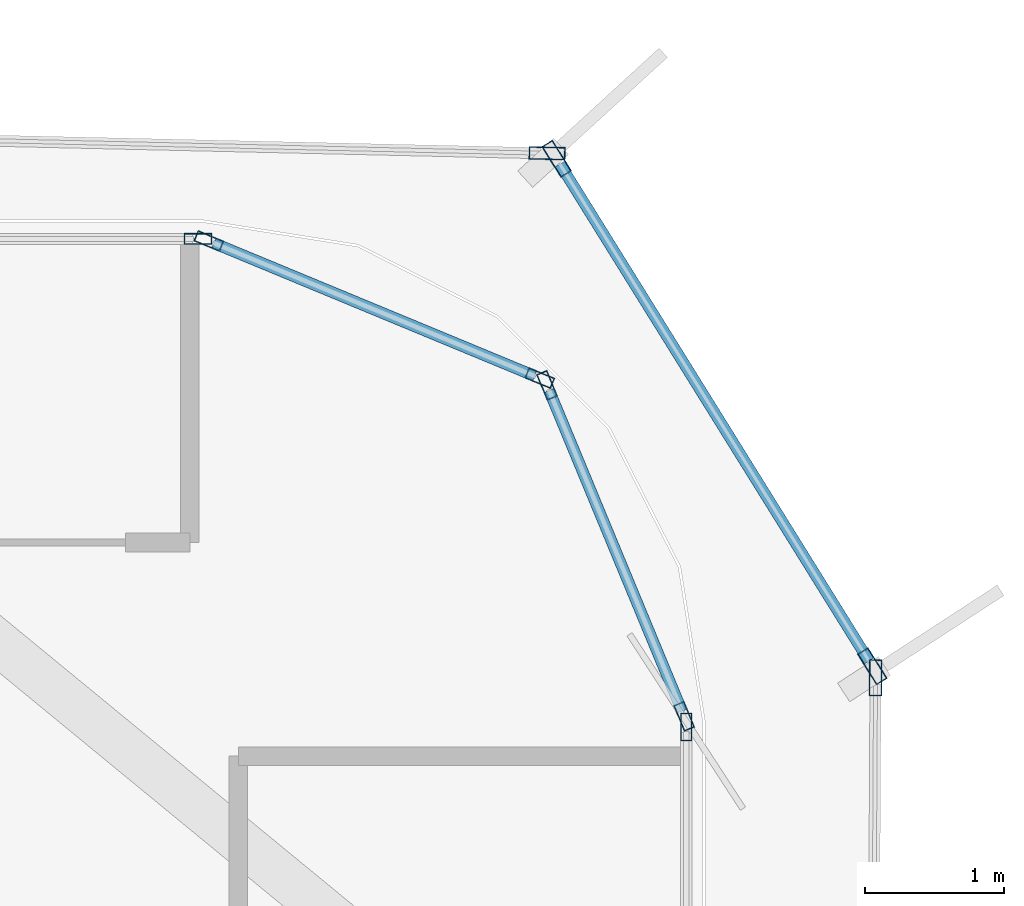
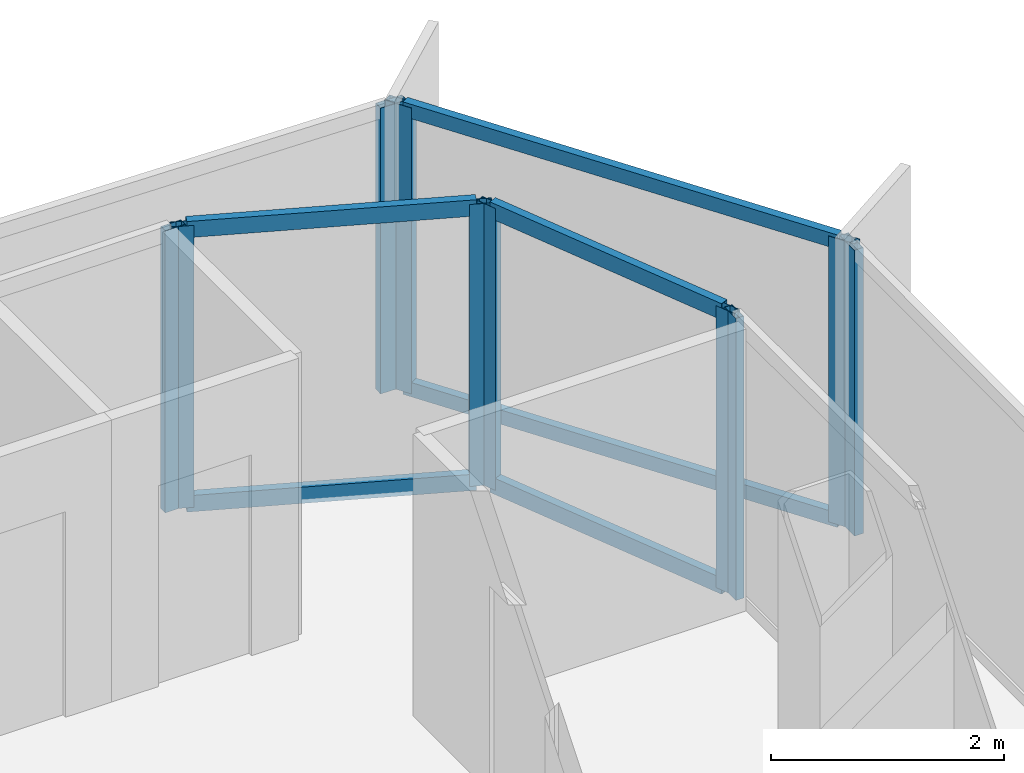
# One storey, part 8 of 16: 16 members, 7 elements without a shape of their own.
"""IFC4 building model written with IfcOpenShell, lengths in metres."""

from ifc_helpers import new_model, si_unit, direction, frame, origin, origin_2d, place, context, subcontext, project, spatial, hollow_rectangle, extrude, source, transform, mapped, material, layer, layer_set, material_profile, profile_set, type_object, element, aggregate, save


model = new_model("IFC4")

# Units and contexts
model_context = context("Model", 3, precision=1e-05, world=origin(), true_north=direction((0.0, 1.0)))
body_context = subcontext(model_context, "Body", "Model", "MODEL_VIEW")
ifc_project = project(units=[si_unit("LENGTHUNIT", "METRE"), si_unit("AREAUNIT", "SQUARE_METRE"), si_unit("VOLUMEUNIT", "CUBIC_METRE"), si_unit("PLANEANGLEUNIT", "RADIAN"), si_unit("MASSUNIT", "GRAM", prefix="KILO")], contexts=[model_context])

# Site, building, storey
site_placement = place(None, origin())
site = spatial("IfcSite", under=ifc_project, at=site_placement, CompositionType="ELEMENT")
building_placement = place(site_placement, origin())
building = spatial("IfcBuilding", under=site, at=building_placement, Name="Kolveth Station Tower", CompositionType="ELEMENT")
storey_placement = place(building_placement, frame((0.0, 0.0, 178.5)))
storey = spatial("IfcBuildingStorey", under=building, at=storey_placement, Name="L50", CompositionType="ELEMENT", Elevation=178.5)

# Curtain wall, member
ifc_material_1 = material(Name="Aluminium 6063-T6 and low-E dark glass", Category="aluminium")
ifc_layer_1 = layer(ifc_material_1, 0.18994140625)
ifc_layer_set_1 = layer_set([ifc_layer_1], Name="Aluminium 6063-T6 and low-E dark glass")
curtain_wall_type_1 = type_object("IfcCurtainWallType", Name="CurtainWall_CW-Z2", PredefinedType="NOTDEFINED", material=ifc_layer_set_1)
curtain_wall_1_placement = place(storey_placement, origin())
curtain_wall_1 = element("IfcCurtainWall", 1, at=curtain_wall_1_placement, inside=storey, type_object=curtain_wall_type_1, Name="L50 Inner Thermal Curtain Wall 3", PredefinedType="NOTDEFINED")
ifc_material_2 = material(Name="Black anodized aluminium 6063-T6", Category="aluminium")
ifc_material_profile_1 = material_profile(ifc_material_2, hollow_rectangle(XDim=0.080078125, YDim=0.199951171875, WallThickness=0.0048828125, at=origin_2d()), Name="ALU-80x200x5")
ifc_profile_set_1 = profile_set([ifc_material_profile_1], Name="Black anodized aluminium 6063-T6")
member_type_1 = type_object("IfcMemberType", Name="Mullion_ML2", PredefinedType="MULLION", material=ifc_profile_set_1)
shared_shape_1 = source(origin(), body_context, "Body", "SweptSolid", [
    extrude(hollow_rectangle(XDim=0.080078125, YDim=0.199951171875, WallThickness=0.0048828125, at=origin_2d()), origin(), (0.0, 0.0, 1.0), 2.949951171875),
])
member_1_placement = place(storey_placement, frame((41.679931640625, 31.659912109375, 0.0), z_axis=(0.0, 0.0, 1.0), x_axis=(-1.0, 0.0, 0.0)))
member_1 = element("IfcMember", 2, at=member_1_placement, type_object=member_type_1, Name="CW-Z2 mullion 2", PredefinedType="MULLION", context=body_context, shape_type="MappedRepresentation", body=[
    mapped(shared_shape_1, transform((0.0, 0.0, 0.0), x_axis=(1.0, 0.0, 0.0), y_axis=(0.0, 1.0, 0.0), z_axis=(0.0, 0.0, 1.0), scale=1.0)),
])
aggregate(curtain_wall_1, [member_1])

# Curtain wall, members
curtain_wall_2_placement = place(storey_placement, origin())
curtain_wall_2 = element("IfcCurtainWall", 3, at=curtain_wall_2_placement, inside=storey, type_object=curtain_wall_type_1, Name="L50 Inner Thermal Curtain Wall 4", PredefinedType="NOTDEFINED")
member_2_placement = place(storey_placement, frame((41.664794921875, 31.737060546875, 0.0), z_axis=(0.0, 0.0, 1.0), x_axis=(-0.923873600544, -0.382697753087, 0.0)))
member_2 = element("IfcMember", 4, at=member_2_placement, type_object=member_type_1, Name="CW-Z2 mullion 1", PredefinedType="MULLION", context=body_context, shape_type="MappedRepresentation", body=[
    mapped(shared_shape_1, transform((0.0, 0.0, 0.0), x_axis=(1.0, 0.0, 0.0), y_axis=(0.0, 1.0, 0.0), z_axis=(0.0, 0.0, 1.0), scale=1.0)),
])
member_3_placement = place(storey_placement, frame((40.676025390625, 34.123779296875, 0.0), z_axis=(0.0, 0.0, 1.0), x_axis=(-0.923873600544, -0.382697753087, 0.0)))
member_3 = element("IfcMember", 5, at=member_3_placement, type_object=member_type_1, Name="CW-Z2 mullion 2", PredefinedType="MULLION", context=body_context, shape_type="MappedRepresentation", body=[
    mapped(shared_shape_1, transform((0.0, 0.0, 0.0), x_axis=(1.0, 0.0, 0.0), y_axis=(0.0, 1.0, 0.0), z_axis=(0.0, 0.0, 1.0), scale=1.0)),
])

curtain_wall_3_placement = place(storey_placement, origin())
curtain_wall_3 = element("IfcCurtainWall", 6, at=curtain_wall_3_placement, inside=storey, type_object=curtain_wall_type_1, Name="L50 Inner Thermal Curtain Wall 5", PredefinedType="NOTDEFINED")
member_4_placement = place(storey_placement, frame((40.623779296875, 34.176025390625, 0.0), z_axis=(0.0, 0.0, 1.0), x_axis=(-0.382697753087, -0.923873600544, 0.0)))
member_4 = element("IfcMember", 7, at=member_4_placement, type_object=member_type_1, Name="CW-Z2 mullion 1", PredefinedType="MULLION", context=body_context, shape_type="MappedRepresentation", body=[
    mapped(shared_shape_1, transform((0.0, 0.0, 0.0), x_axis=(1.0, 0.0, 0.0), y_axis=(0.0, 1.0, 0.0), z_axis=(0.0, 0.0, 1.0), scale=1.0)),
])
member_5_placement = place(storey_placement, frame((38.237060546875, 35.164794921875, 0.0), z_axis=(0.0, 0.0, 1.0), x_axis=(-0.382697753087, -0.923873600544, 0.0)))
member_5 = element("IfcMember", 8, at=member_5_placement, type_object=member_type_1, Name="CW-Z2 mullion 2", PredefinedType="MULLION", context=body_context, shape_type="MappedRepresentation", body=[
    mapped(shared_shape_1, transform((0.0, 0.0, 0.0), x_axis=(1.0, 0.0, 0.0), y_axis=(0.0, 1.0, 0.0), z_axis=(0.0, 0.0, 1.0), scale=1.0)),
])

# Curtain wall, member
curtain_wall_4_placement = place(storey_placement, origin())
curtain_wall_4 = element("IfcCurtainWall", 9, at=curtain_wall_4_placement, inside=storey, type_object=curtain_wall_type_1, Name="L50 Inner Thermal Curtain Wall 6", PredefinedType="NOTDEFINED")
member_6_placement = place(storey_placement, frame((38.159912109375, 35.179931640625, 0.0), z_axis=(0.0, 0.0, 1.0), x_axis=(0.0, -1.0, 0.0)))
member_6 = element("IfcMember", 10, at=member_6_placement, type_object=member_type_1, Name="CW-Z2 mullion 1", PredefinedType="MULLION", context=body_context, shape_type="MappedRepresentation", body=[
    mapped(shared_shape_1, transform((0.0, 0.0, 0.0), x_axis=(1.0, 0.0, 0.0), y_axis=(0.0, 1.0, 0.0), z_axis=(0.0, 0.0, 1.0), scale=1.0)),
])
aggregate(curtain_wall_4, [member_6])

ifc_material_3 = material(Name="Black anodized aluminium 6063-T6 and dark solar glass", Category="aluminium")
ifc_layer_2 = layer(ifc_material_3, 0.159912109375)
ifc_layer_set_2 = layer_set([ifc_layer_2], Name="Black anodized aluminium 6063-T6 and dark solar glass")
curtain_wall_type_2 = type_object("IfcCurtainWallType", Name="OUTER SKIN CW-OS", PredefinedType="NOTDEFINED", material=ifc_layer_set_2)
curtain_wall_5_placement = place(storey_placement, origin())
curtain_wall_5 = element("IfcCurtainWall", 11, at=curtain_wall_5_placement, inside=storey, type_object=curtain_wall_type_2, Name="L50 Outer Ventilated Skin Curtain Wall 2", PredefinedType="NOTDEFINED")
ifc_material_profile_2 = material_profile(ifc_material_2, hollow_rectangle(XDim=0.090087890625, YDim=0.260009765625, WallThickness=0.0048828125, at=origin_2d()), Name="ALU-90x260x5")
ifc_profile_set_2 = profile_set([ifc_material_profile_2], Name="Black anodized aluminium 6063-T6")
member_type_2 = type_object("IfcMemberType", Name="FIN MULLION ML-OS", PredefinedType="MULLION", material=ifc_profile_set_2)
shared_shape_2 = source(origin(), body_context, "Body", "SweptSolid", [
    extrude(hollow_rectangle(XDim=0.090087890625, YDim=0.260009765625, WallThickness=0.0048828125, at=origin_2d()), origin(), (0.0, 0.0, 1.0), 2.989990234375),
])
member_7_placement = place(storey_placement, frame((43.045166015625, 32.0146484375, 0.0), z_axis=(0.0, 0.0, 1.0), x_axis=(-0.999985145982, 0.005450487634, 0.0)))
member_7 = element("IfcMember", 12, at=member_7_placement, type_object=member_type_2, Name="CW-OS mullion 2", PredefinedType="MULLION", context=body_context, shape_type="MappedRepresentation", body=[
    mapped(shared_shape_2, transform((0.0, 0.0, 0.0), x_axis=(1.0, 0.0, 0.0), y_axis=(0.0, 1.0, 0.0), z_axis=(0.0, 0.0, 1.0), scale=1.0)),
])
aggregate(curtain_wall_5, [member_7])

# Curtain wall, members
curtain_wall_6_placement = place(storey_placement, origin())
curtain_wall_6 = element("IfcCurtainWall", 13, at=curtain_wall_6_placement, inside=storey, type_object=curtain_wall_type_2, Name="L50 Outer Ventilated Skin Curtain Wall 3", PredefinedType="NOTDEFINED")
member_8_placement = place(storey_placement, frame((43.021728515625, 32.097900390625, 0.0), z_axis=(0.0, 0.0, 1.0), x_axis=(-0.849158071798, -0.528138778258, 0.0)))
member_8 = element("IfcMember", 14, at=member_8_placement, type_object=member_type_2, Name="CW-OS mullion 1", PredefinedType="MULLION", context=body_context, shape_type="MappedRepresentation", body=[
    mapped(shared_shape_2, transform((0.0, 0.0, 0.0), x_axis=(1.0, 0.0, 0.0), y_axis=(0.0, 1.0, 0.0), z_axis=(0.0, 0.0, 1.0), scale=1.0)),
])
member_9_placement = place(storey_placement, frame((40.7451171875, 35.758056640625, 0.0), z_axis=(0.0, 0.0, 1.0), x_axis=(-0.849158071798, -0.528138778258, 0.0)))
member_9 = element("IfcMember", 15, at=member_9_placement, type_object=member_type_2, Name="CW-OS mullion 2", PredefinedType="MULLION", context=body_context, shape_type="MappedRepresentation", body=[
    mapped(shared_shape_2, transform((0.0, 0.0, 0.0), x_axis=(1.0, 0.0, 0.0), y_axis=(0.0, 1.0, 0.0), z_axis=(0.0, 0.0, 1.0), scale=1.0)),
])

# Curtain wall, member
curtain_wall_7_placement = place(storey_placement, origin())
curtain_wall_7 = element("IfcCurtainWall", 16, at=curtain_wall_7_placement, inside=storey, type_object=curtain_wall_type_2, Name="L50 Outer Ventilated Skin Curtain Wall 4", PredefinedType="NOTDEFINED")
member_10_placement = place(storey_placement, frame((40.676513671875, 35.79736328125, 0.0), z_axis=(0.0, 0.0, 1.0), x_axis=(-0.022766385466, -0.999740812257, 0.0)))
member_10 = element("IfcMember", 17, at=member_10_placement, type_object=member_type_2, Name="CW-OS mullion 1", PredefinedType="MULLION", context=body_context, shape_type="MappedRepresentation", body=[
    mapped(shared_shape_2, transform((0.0, 0.0, 0.0), x_axis=(1.0, 0.0, 0.0), y_axis=(0.0, 1.0, 0.0), z_axis=(0.0, 0.0, 1.0), scale=1.0)),
])
aggregate(curtain_wall_7, [member_10])

# Member
ifc_material_profile_3 = material_profile(ifc_material_2, hollow_rectangle(XDim=0.080078125, YDim=0.169921875, WallThickness=0.0048828125, at=origin_2d()), Name="ALU-80x170x5")
ifc_profile_set_3 = profile_set([ifc_material_profile_3], Name="Black anodized aluminium 6063-T6")
member_type_3 = type_object("IfcMemberType", Name="Transom_TR2", PredefinedType="USERDEFINED", material=ifc_profile_set_3)
shared_shape_3 = source(origin(), body_context, "Body", "SweptSolid", [
    extrude(hollow_rectangle(XDim=0.080078125, YDim=0.169921875, WallThickness=0.0048828125, at=origin_2d()), origin(), (0.0, 0.0, 1.0), 2.50341796875),
])
member_11_placement = place(storey_placement, frame((41.6494140625, 31.77392578125, 0.0400390625), z_axis=(-0.382696328882, 0.923874190494, 0.0), x_axis=(-0.923874190494, -0.382696328882, 0.0)))
member_11 = element("IfcMember", 18, at=member_11_placement, type_object=member_type_3, Name="CW-Z2 transom 1.1", ObjectType="TRANSOM", PredefinedType="USERDEFINED", context=body_context, shape_type="MappedRepresentation", body=[
    mapped(shared_shape_3, transform((0.0, 0.0, 0.0), x_axis=(1.0, 0.0, 0.0), y_axis=(0.0, 1.0, 0.0), z_axis=(0.0, 0.0, 1.0), scale=1.0)),
])

member_12_placement = place(storey_placement, frame((41.6494140625, 31.77392578125, 2.909912109375), z_axis=(-0.382696328882, 0.923874190494, 0.0), x_axis=(-0.923874190494, -0.382696328882, 0.0)))
member_12 = element("IfcMember", 19, at=member_12_placement, type_object=member_type_3, Name="CW-Z2 transom 1.2", ObjectType="TRANSOM", PredefinedType="USERDEFINED", context=body_context, shape_type="MappedRepresentation", body=[
    mapped(shared_shape_3, transform((0.0, 0.0, 0.0), x_axis=(1.0, 0.0, 0.0), y_axis=(0.0, 1.0, 0.0), z_axis=(0.0, 0.0, 1.0), scale=1.0)),
])

aggregate(curtain_wall_2, [member_2, member_3, member_11, member_12])

member_13_placement = place(storey_placement, frame((40.586669921875, 34.19140625, 0.0400390625), z_axis=(-0.923874190494, 0.382696328882, 0.0), x_axis=(-0.382696328882, -0.923874190494, 0.0)))
member_13 = element("IfcMember", 20, at=member_13_placement, type_object=member_type_3, Name="CW-Z2 transom 1.1", ObjectType="TRANSOM", PredefinedType="USERDEFINED", context=body_context, shape_type="MappedRepresentation", body=[
    mapped(shared_shape_3, transform((0.0, 0.0, 0.0), x_axis=(1.0, 0.0, 0.0), y_axis=(0.0, 1.0, 0.0), z_axis=(0.0, 0.0, 1.0), scale=1.0)),
])

member_14_placement = place(storey_placement, frame((40.586669921875, 34.19140625, 2.909912109375), z_axis=(-0.923874190494, 0.382696328882, 0.0), x_axis=(-0.382696328882, -0.923874190494, 0.0)))
member_14 = element("IfcMember", 21, at=member_14_placement, type_object=member_type_3, Name="CW-Z2 transom 1.2", ObjectType="TRANSOM", PredefinedType="USERDEFINED", context=body_context, shape_type="MappedRepresentation", body=[
    mapped(shared_shape_3, transform((0.0, 0.0, 0.0), x_axis=(1.0, 0.0, 0.0), y_axis=(0.0, 1.0, 0.0), z_axis=(0.0, 0.0, 1.0), scale=1.0)),
])

aggregate(curtain_wall_3, [member_4, member_5, member_13, member_14])

ifc_material_profile_4 = material_profile(ifc_material_2, hollow_rectangle(XDim=0.080078125, YDim=0.14990234375, WallThickness=0.0048828125, at=origin_2d()), Name="ALU-80x150x5")
ifc_profile_set_4 = profile_set([ifc_material_profile_4], Name="Black anodized aluminium 6063-T6")
member_type_4 = type_object("IfcMemberType", Name="Transom_TR-OS", PredefinedType="USERDEFINED", material=ifc_profile_set_4)
shared_shape_4 = source(origin(), body_context, "Body", "SweptSolid", [
    extrude(hollow_rectangle(XDim=0.080078125, YDim=0.14990234375, WallThickness=0.0048828125, at=origin_2d()), origin(), (0.0, 0.0, 1.0), 4.22021484375),
])
member_15_placement = place(storey_placement, frame((42.997802734375, 32.13623046875, 0.0400390625), z_axis=(-0.528110036325, 0.849175947335, 0.0), x_axis=(-0.849175947335, -0.528110036325, 0.0)))
member_15 = element("IfcMember", 22, at=member_15_placement, type_object=member_type_4, Name="CW-OS transom 1.1", ObjectType="TRANSOM", PredefinedType="USERDEFINED", context=body_context, shape_type="MappedRepresentation", body=[
    mapped(shared_shape_4, transform((0.0, 0.0, 0.0), x_axis=(1.0, 0.0, 0.0), y_axis=(0.0, 1.0, 0.0), z_axis=(0.0, 0.0, 1.0), scale=1.0)),
])

member_16_placement = place(storey_placement, frame((42.997802734375, 32.13623046875, 2.949951171875), z_axis=(-0.528110036325, 0.849175947335, 0.0), x_axis=(-0.849175947335, -0.528110036325, 0.0)))
member_16 = element("IfcMember", 23, at=member_16_placement, type_object=member_type_4, Name="CW-OS transom 1.2", ObjectType="TRANSOM", PredefinedType="USERDEFINED", context=body_context, shape_type="MappedRepresentation", body=[
    mapped(shared_shape_4, transform((0.0, 0.0, 0.0), x_axis=(1.0, 0.0, 0.0), y_axis=(0.0, 1.0, 0.0), z_axis=(0.0, 0.0, 1.0), scale=1.0)),
])

aggregate(curtain_wall_6, [member_8, member_9, member_15, member_16])

save(model, "model.ifc")
